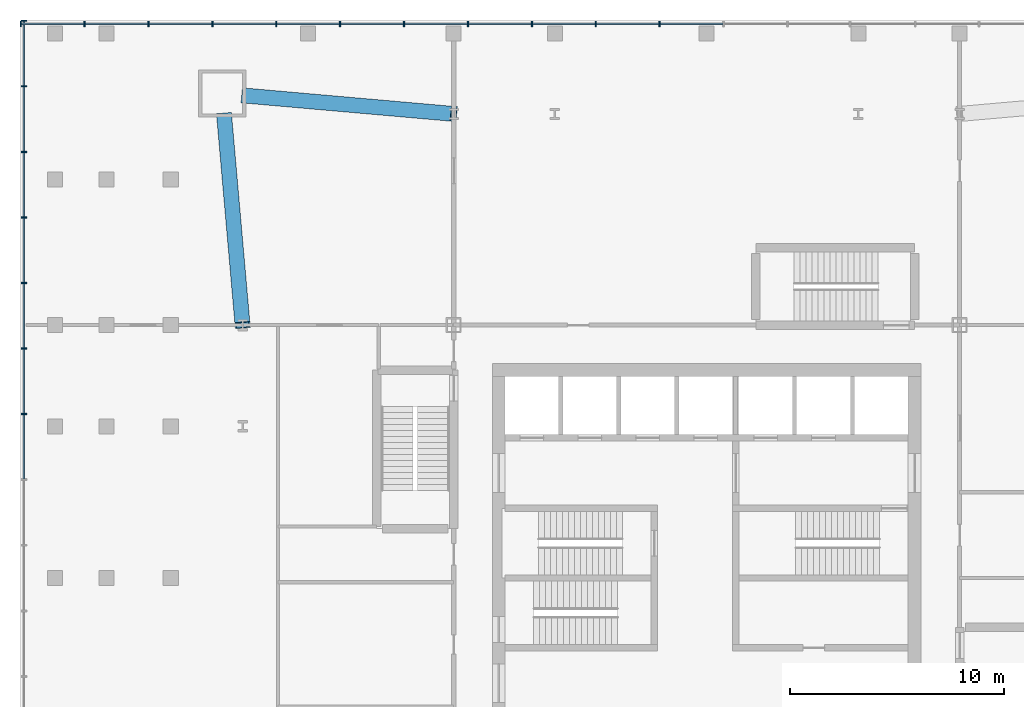
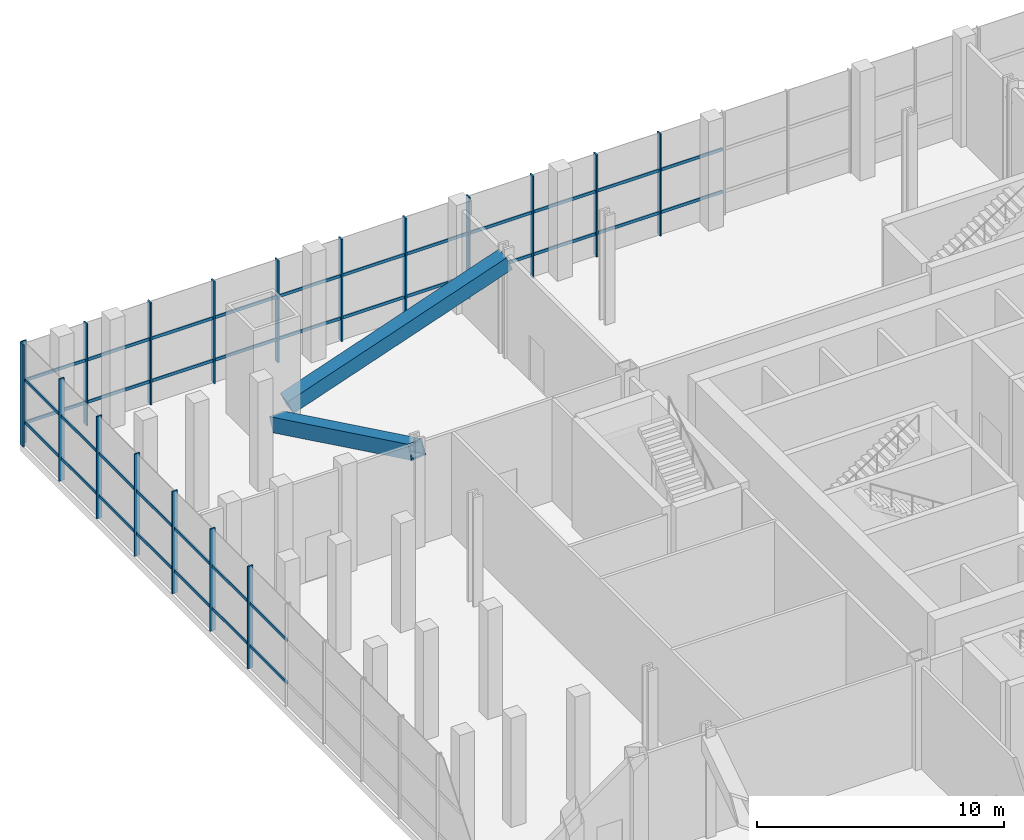
# One storey, part 4 of 17: 56 members, 2 elements without a shape of their own.
"""IFC4 building model written with IfcOpenShell, lengths in metres."""

from ifc_helpers import new_model, si_unit, direction, frame, origin, origin_2d, place, context, subcontext, project, spatial, rectangle, hollow_rectangle, extrude, material, material_profile, profile_set, type_object, element, aggregate, save


model = new_model("IFC4")

# Units and contexts
model_context = context("Model", 3, precision=1e-05, world=origin(), true_north=direction((0.0, 1.0)))
body_context = subcontext(model_context, "Body", "Model", "MODEL_VIEW")
ifc_project = project(units=[si_unit("LENGTHUNIT", "METRE"), si_unit("AREAUNIT", "SQUARE_METRE"), si_unit("VOLUMEUNIT", "CUBIC_METRE"), si_unit("PLANEANGLEUNIT", "RADIAN"), si_unit("MASSUNIT", "GRAM", prefix="KILO")], contexts=[model_context])

# Site, building, storey
site_placement = place(None, origin())
site = spatial("IfcSite", under=ifc_project, at=site_placement, CompositionType="ELEMENT")
building_placement = place(site_placement, origin())
building = spatial("IfcBuilding", under=site, at=building_placement, Name="Turquesa Mirador Hotel Tower", CompositionType="ELEMENT")
storey_placement = place(building_placement, frame((0.0, 0.0, 5.60009765625)))
storey = spatial("IfcBuildingStorey", under=building, at=storey_placement, Name="L01", CompositionType="ELEMENT", Elevation=5.60009765625)

# Curtain wall, members
ifc_material_1 = material(Name="Aluminium extrusion", Category="aluminium")
curtain_wall_type = type_object("IfcCurtainWallType", Name="CW-2 PODIUM CURTAIN WALL", PredefinedType="USERDEFINED", material=ifc_material_1)
curtain_wall_1_placement = place(storey_placement, origin())
curtain_wall_1 = element("IfcCurtainWall", 1, at=curtain_wall_1_placement, inside=storey, type_object=curtain_wall_type, Name="CW-2 PODIUM CURTAIN WALL L01", ObjectType="CURTAIN WALL", PredefinedType="USERDEFINED")
ifc_material_2 = material(Name="Aluminium extrusion", Category="aluminium")
ifc_material_profile_1 = material_profile(ifc_material_2, rectangle(XDim=0.06494140625, YDim=0.25, at=origin_2d()), Name="MULLION 65X250")
ifc_profile_set_1 = profile_set([ifc_material_profile_1], Name="Aluminium extrusion")
member_type_1 = type_object("IfcMemberType", Name="CW MULLION 65X250", PredefinedType="MULLION", material=ifc_profile_set_1)
member_1_placement = place(storey_placement, frame((52.807861328125, 70.85009765625, 0.0), z_axis=(0.0, 0.0, 1.0), x_axis=(-1.0, 0.0, 0.0)))
member_1 = element("IfcMember", 2, at=member_1_placement, type_object=member_type_1, Name="Mullion", PredefinedType="MULLION", context=body_context, shape_type="SweptSolid", body=[
    extrude(rectangle(XDim=0.06494140625, YDim=0.25, at=origin_2d()), origin(), (0.0, 0.0, 1.0), 5.0498046875),
])
member_2_placement = place(storey_placement, frame((49.826904296875, 70.85009765625, 0.0), z_axis=(0.0, 0.0, 1.0), x_axis=(-1.0, 0.0, 0.0)))
member_2 = element("IfcMember", 3, at=member_2_placement, type_object=member_type_1, Name="Mullion", PredefinedType="MULLION", context=body_context, shape_type="SweptSolid", body=[
    extrude(rectangle(XDim=0.06494140625, YDim=0.25, at=origin_2d()), origin(), (0.0, 0.0, 1.0), 5.0498046875),
])
member_3_placement = place(storey_placement, frame((46.84619140625, 70.85009765625, 0.0), z_axis=(0.0, 0.0, 1.0), x_axis=(-1.0, 0.0, 0.0)))
member_3 = element("IfcMember", 4, at=member_3_placement, type_object=member_type_1, Name="Mullion", PredefinedType="MULLION", context=body_context, shape_type="SweptSolid", body=[
    extrude(rectangle(XDim=0.06494140625, YDim=0.25, at=origin_2d()), origin(), (0.0, 0.0, 1.0), 5.0498046875),
])
member_4_placement = place(storey_placement, frame((43.865478515625, 70.85009765625, 0.0), z_axis=(0.0, 0.0, 1.0), x_axis=(-1.0, 0.0, 0.0)))
member_4 = element("IfcMember", 5, at=member_4_placement, type_object=member_type_1, Name="Mullion", PredefinedType="MULLION", context=body_context, shape_type="SweptSolid", body=[
    extrude(rectangle(XDim=0.06494140625, YDim=0.25, at=origin_2d()), origin(), (0.0, 0.0, 1.0), 5.0498046875),
])
member_5_placement = place(storey_placement, frame((40.884765625, 70.85009765625, 0.0), z_axis=(0.0, 0.0, 1.0), x_axis=(-1.0, 0.0, 0.0)))
member_5 = element("IfcMember", 6, at=member_5_placement, type_object=member_type_1, Name="Mullion", PredefinedType="MULLION", context=body_context, shape_type="SweptSolid", body=[
    extrude(rectangle(XDim=0.06494140625, YDim=0.25, at=origin_2d()), origin(), (0.0, 0.0, 1.0), 5.0498046875),
])
member_6_placement = place(storey_placement, frame((37.90380859375, 70.85009765625, 0.0), z_axis=(0.0, 0.0, 1.0), x_axis=(-1.0, 0.0, 0.0)))
member_6 = element("IfcMember", 7, at=member_6_placement, type_object=member_type_1, Name="Mullion", PredefinedType="MULLION", context=body_context, shape_type="SweptSolid", body=[
    extrude(rectangle(XDim=0.06494140625, YDim=0.25, at=origin_2d()), origin(), (0.0, 0.0, 1.0), 5.0498046875),
])
member_7_placement = place(storey_placement, frame((34.923095703125, 70.85009765625, 0.0), z_axis=(0.0, 0.0, 1.0), x_axis=(-1.0, 0.0, 0.0)))
member_7 = element("IfcMember", 8, at=member_7_placement, type_object=member_type_1, Name="Mullion", PredefinedType="MULLION", context=body_context, shape_type="SweptSolid", body=[
    extrude(rectangle(XDim=0.06494140625, YDim=0.25, at=origin_2d()), origin(), (0.0, 0.0, 1.0), 5.0498046875),
])
member_8_placement = place(storey_placement, frame((31.9423828125, 70.85009765625, 0.0), z_axis=(0.0, 0.0, 1.0), x_axis=(-1.0, 0.0, 0.0)))
member_8 = element("IfcMember", 9, at=member_8_placement, type_object=member_type_1, Name="Mullion", PredefinedType="MULLION", context=body_context, shape_type="SweptSolid", body=[
    extrude(rectangle(XDim=0.06494140625, YDim=0.25, at=origin_2d()), origin(), (0.0, 0.0, 1.0), 5.0498046875),
])
member_9_placement = place(storey_placement, frame((28.961669921875, 70.85009765625, 0.0), z_axis=(0.0, 0.0, 1.0), x_axis=(-1.0, 0.0, 0.0)))
member_9 = element("IfcMember", 10, at=member_9_placement, type_object=member_type_1, Name="Mullion", PredefinedType="MULLION", context=body_context, shape_type="SweptSolid", body=[
    extrude(rectangle(XDim=0.06494140625, YDim=0.25, at=origin_2d()), origin(), (0.0, 0.0, 1.0), 5.0498046875),
])
member_10_placement = place(storey_placement, frame((25.980712890625, 70.85009765625, 0.0), z_axis=(0.0, 0.0, 1.0), x_axis=(-1.0, 0.0, 0.0)))
member_10 = element("IfcMember", 11, at=member_10_placement, type_object=member_type_1, Name="Mullion", PredefinedType="MULLION", context=body_context, shape_type="SweptSolid", body=[
    extrude(rectangle(XDim=0.06494140625, YDim=0.25, at=origin_2d()), origin(), (0.0, 0.0, 1.0), 5.0498046875),
])
member_11_placement = place(storey_placement, frame((23.0, 70.85009765625, 0.0), z_axis=(0.0, 0.0, 1.0), x_axis=(-1.0, 0.0, 0.0)))
member_11 = element("IfcMember", 12, at=member_11_placement, type_object=member_type_1, Name="Mullion", PredefinedType="MULLION", context=body_context, shape_type="SweptSolid", body=[
    extrude(rectangle(XDim=0.06494140625, YDim=0.25, at=origin_2d()), origin(), (0.0, 0.0, 1.0), 5.0498046875),
])

curtain_wall_2_placement = place(storey_placement, origin())
curtain_wall_2 = element("IfcCurtainWall", 13, at=curtain_wall_2_placement, inside=storey, type_object=curtain_wall_type, Name="CW-2 PODIUM CURTAIN WALL L01", ObjectType="CURTAIN WALL", PredefinedType="USERDEFINED")
member_12_placement = place(storey_placement, frame((23.14990234375, 71.0, 0.0), z_axis=(0.0, 0.0, 1.0), x_axis=(0.0, -1.0, 0.0)))
member_12 = element("IfcMember", 14, at=member_12_placement, type_object=member_type_1, Name="Mullion", PredefinedType="MULLION", context=body_context, shape_type="SweptSolid", body=[
    extrude(rectangle(XDim=0.06494140625, YDim=0.25, at=origin_2d()), origin(), (0.0, 0.0, 1.0), 5.0498046875),
])
member_13_placement = place(storey_placement, frame((23.14990234375, 67.941162109375, 0.0), z_axis=(0.0, 0.0, 1.0), x_axis=(0.0, -1.0, 0.0)))
member_13 = element("IfcMember", 15, at=member_13_placement, type_object=member_type_1, Name="Mullion", PredefinedType="MULLION", context=body_context, shape_type="SweptSolid", body=[
    extrude(rectangle(XDim=0.06494140625, YDim=0.25, at=origin_2d()), origin(), (0.0, 0.0, 1.0), 5.0498046875),
])
member_14_placement = place(storey_placement, frame((23.14990234375, 64.88232421875, 0.0), z_axis=(0.0, 0.0, 1.0), x_axis=(0.0, -1.0, 0.0)))
member_14 = element("IfcMember", 16, at=member_14_placement, type_object=member_type_1, Name="Mullion", PredefinedType="MULLION", context=body_context, shape_type="SweptSolid", body=[
    extrude(rectangle(XDim=0.06494140625, YDim=0.25, at=origin_2d()), origin(), (0.0, 0.0, 1.0), 5.0498046875),
])
member_15_placement = place(storey_placement, frame((23.14990234375, 61.823486328125, 0.0), z_axis=(0.0, 0.0, 1.0), x_axis=(0.0, -1.0, 0.0)))
member_15 = element("IfcMember", 17, at=member_15_placement, type_object=member_type_1, Name="Mullion", PredefinedType="MULLION", context=body_context, shape_type="SweptSolid", body=[
    extrude(rectangle(XDim=0.06494140625, YDim=0.25, at=origin_2d()), origin(), (0.0, 0.0, 1.0), 5.0498046875),
])
member_16_placement = place(storey_placement, frame((23.14990234375, 58.7646484375, 0.0), z_axis=(0.0, 0.0, 1.0), x_axis=(0.0, -1.0, 0.0)))
member_16 = element("IfcMember", 18, at=member_16_placement, type_object=member_type_1, Name="Mullion", PredefinedType="MULLION", context=body_context, shape_type="SweptSolid", body=[
    extrude(rectangle(XDim=0.06494140625, YDim=0.25, at=origin_2d()), origin(), (0.0, 0.0, 1.0), 5.0498046875),
])
member_17_placement = place(storey_placement, frame((23.14990234375, 55.705810546875, 0.0), z_axis=(0.0, 0.0, 1.0), x_axis=(0.0, -1.0, 0.0)))
member_17 = element("IfcMember", 19, at=member_17_placement, type_object=member_type_1, Name="Mullion", PredefinedType="MULLION", context=body_context, shape_type="SweptSolid", body=[
    extrude(rectangle(XDim=0.06494140625, YDim=0.25, at=origin_2d()), origin(), (0.0, 0.0, 1.0), 5.0498046875),
])
member_18_placement = place(storey_placement, frame((23.14990234375, 52.64697265625, 0.0), z_axis=(0.0, 0.0, 1.0), x_axis=(0.0, -1.0, 0.0)))
member_18 = element("IfcMember", 20, at=member_18_placement, type_object=member_type_1, Name="Mullion", PredefinedType="MULLION", context=body_context, shape_type="SweptSolid", body=[
    extrude(rectangle(XDim=0.06494140625, YDim=0.25, at=origin_2d()), origin(), (0.0, 0.0, 1.0), 5.0498046875),
])

# Member
ifc_material_3 = material(Name="Aluminium extrusion", Category="aluminium")
ifc_material_profile_2 = material_profile(ifc_material_3, rectangle(XDim=0.06494140625, YDim=0.14990234375, at=origin_2d()), Name="TRANSOM 65X150")
ifc_profile_set_2 = profile_set([ifc_material_profile_2], Name="Aluminium extrusion")
member_type_2 = type_object("IfcMemberType", Name="CW TRANSOM 65X150", PredefinedType="USERDEFINED", material=ifc_profile_set_2)
member_19_placement = place(storey_placement, frame((55.756103515625, 70.85009765625, 1.099853515625), z_axis=(-1.0, 0.0, 0.0), x_axis=(0.0, -1.0, 0.0)))
member_19 = element("IfcMember", 21, at=member_19_placement, type_object=member_type_2, Name="Transom", ObjectType="TRANSOM", PredefinedType="USERDEFINED", context=body_context, shape_type="SweptSolid", body=[
    extrude(rectangle(XDim=0.06494140625, YDim=0.14990234375, at=origin_2d()), origin(), (0.0, 0.0, 1.0), 2.915771484375),
])

member_20_placement = place(storey_placement, frame((55.756103515625, 70.85009765625, 3.199951171875), z_axis=(-1.0, 0.0, 0.0), x_axis=(0.0, -1.0, 0.0)))
member_20 = element("IfcMember", 22, at=member_20_placement, type_object=member_type_2, Name="Transom", ObjectType="TRANSOM", PredefinedType="USERDEFINED", context=body_context, shape_type="SweptSolid", body=[
    extrude(rectangle(XDim=0.06494140625, YDim=0.14990234375, at=origin_2d()), origin(), (0.0, 0.0, 1.0), 2.915771484375),
])

member_21_placement = place(storey_placement, frame((52.775146484375, 70.85009765625, 1.099853515625), z_axis=(-1.0, 0.0, 0.0), x_axis=(0.0, -1.0, 0.0)))
member_21 = element("IfcMember", 23, at=member_21_placement, type_object=member_type_2, Name="Transom", ObjectType="TRANSOM", PredefinedType="USERDEFINED", context=body_context, shape_type="SweptSolid", body=[
    extrude(rectangle(XDim=0.06494140625, YDim=0.14990234375, at=origin_2d()), origin(), (0.0, 0.0, 1.0), 2.915771484375),
])

member_22_placement = place(storey_placement, frame((52.775146484375, 70.85009765625, 3.199951171875), z_axis=(-1.0, 0.0, 0.0), x_axis=(0.0, -1.0, 0.0)))
member_22 = element("IfcMember", 24, at=member_22_placement, type_object=member_type_2, Name="Transom", ObjectType="TRANSOM", PredefinedType="USERDEFINED", context=body_context, shape_type="SweptSolid", body=[
    extrude(rectangle(XDim=0.06494140625, YDim=0.14990234375, at=origin_2d()), origin(), (0.0, 0.0, 1.0), 2.915771484375),
])

member_23_placement = place(storey_placement, frame((49.79443359375, 70.85009765625, 1.099853515625), z_axis=(-1.0, 0.0, 0.0), x_axis=(0.0, -1.0, 0.0)))
member_23 = element("IfcMember", 25, at=member_23_placement, type_object=member_type_2, Name="Transom", ObjectType="TRANSOM", PredefinedType="USERDEFINED", context=body_context, shape_type="SweptSolid", body=[
    extrude(rectangle(XDim=0.06494140625, YDim=0.14990234375, at=origin_2d()), origin(), (0.0, 0.0, 1.0), 2.915771484375),
])

member_24_placement = place(storey_placement, frame((49.79443359375, 70.85009765625, 3.199951171875), z_axis=(-1.0, 0.0, 0.0), x_axis=(0.0, -1.0, 0.0)))
member_24 = element("IfcMember", 26, at=member_24_placement, type_object=member_type_2, Name="Transom", ObjectType="TRANSOM", PredefinedType="USERDEFINED", context=body_context, shape_type="SweptSolid", body=[
    extrude(rectangle(XDim=0.06494140625, YDim=0.14990234375, at=origin_2d()), origin(), (0.0, 0.0, 1.0), 2.915771484375),
])

member_25_placement = place(storey_placement, frame((46.813720703125, 70.85009765625, 1.099853515625), z_axis=(-1.0, 0.0, 0.0), x_axis=(0.0, -1.0, 0.0)))
member_25 = element("IfcMember", 27, at=member_25_placement, type_object=member_type_2, Name="Transom", ObjectType="TRANSOM", PredefinedType="USERDEFINED", context=body_context, shape_type="SweptSolid", body=[
    extrude(rectangle(XDim=0.06494140625, YDim=0.14990234375, at=origin_2d()), origin(), (0.0, 0.0, 1.0), 2.915771484375),
])

member_26_placement = place(storey_placement, frame((46.813720703125, 70.85009765625, 3.199951171875), z_axis=(-1.0, 0.0, 0.0), x_axis=(0.0, -1.0, 0.0)))
member_26 = element("IfcMember", 28, at=member_26_placement, type_object=member_type_2, Name="Transom", ObjectType="TRANSOM", PredefinedType="USERDEFINED", context=body_context, shape_type="SweptSolid", body=[
    extrude(rectangle(XDim=0.06494140625, YDim=0.14990234375, at=origin_2d()), origin(), (0.0, 0.0, 1.0), 2.915771484375),
])

member_27_placement = place(storey_placement, frame((43.8330078125, 70.85009765625, 1.099853515625), z_axis=(-1.0, 0.0, 0.0), x_axis=(0.0, -1.0, 0.0)))
member_27 = element("IfcMember", 29, at=member_27_placement, type_object=member_type_2, Name="Transom", ObjectType="TRANSOM", PredefinedType="USERDEFINED", context=body_context, shape_type="SweptSolid", body=[
    extrude(rectangle(XDim=0.06494140625, YDim=0.14990234375, at=origin_2d()), origin(), (0.0, 0.0, 1.0), 2.915771484375),
])

member_28_placement = place(storey_placement, frame((43.8330078125, 70.85009765625, 3.199951171875), z_axis=(-1.0, 0.0, 0.0), x_axis=(0.0, -1.0, 0.0)))
member_28 = element("IfcMember", 30, at=member_28_placement, type_object=member_type_2, Name="Transom", ObjectType="TRANSOM", PredefinedType="USERDEFINED", context=body_context, shape_type="SweptSolid", body=[
    extrude(rectangle(XDim=0.06494140625, YDim=0.14990234375, at=origin_2d()), origin(), (0.0, 0.0, 1.0), 2.915771484375),
])

member_29_placement = place(storey_placement, frame((40.85205078125, 70.85009765625, 1.099853515625), z_axis=(-1.0, 0.0, 0.0), x_axis=(0.0, -1.0, 0.0)))
member_29 = element("IfcMember", 31, at=member_29_placement, type_object=member_type_2, Name="Transom", ObjectType="TRANSOM", PredefinedType="USERDEFINED", context=body_context, shape_type="SweptSolid", body=[
    extrude(rectangle(XDim=0.06494140625, YDim=0.14990234375, at=origin_2d()), origin(), (0.0, 0.0, 1.0), 2.915771484375),
])

member_30_placement = place(storey_placement, frame((40.85205078125, 70.85009765625, 3.199951171875), z_axis=(-1.0, 0.0, 0.0), x_axis=(0.0, -1.0, 0.0)))
member_30 = element("IfcMember", 32, at=member_30_placement, type_object=member_type_2, Name="Transom", ObjectType="TRANSOM", PredefinedType="USERDEFINED", context=body_context, shape_type="SweptSolid", body=[
    extrude(rectangle(XDim=0.06494140625, YDim=0.14990234375, at=origin_2d()), origin(), (0.0, 0.0, 1.0), 2.915771484375),
])

member_31_placement = place(storey_placement, frame((37.871337890625, 70.85009765625, 1.099853515625), z_axis=(-1.0, 0.0, 0.0), x_axis=(0.0, -1.0, 0.0)))
member_31 = element("IfcMember", 33, at=member_31_placement, type_object=member_type_2, Name="Transom", ObjectType="TRANSOM", PredefinedType="USERDEFINED", context=body_context, shape_type="SweptSolid", body=[
    extrude(rectangle(XDim=0.06494140625, YDim=0.14990234375, at=origin_2d()), origin(), (0.0, 0.0, 1.0), 2.915771484375),
])

member_32_placement = place(storey_placement, frame((37.871337890625, 70.85009765625, 3.199951171875), z_axis=(-1.0, 0.0, 0.0), x_axis=(0.0, -1.0, 0.0)))
member_32 = element("IfcMember", 34, at=member_32_placement, type_object=member_type_2, Name="Transom", ObjectType="TRANSOM", PredefinedType="USERDEFINED", context=body_context, shape_type="SweptSolid", body=[
    extrude(rectangle(XDim=0.06494140625, YDim=0.14990234375, at=origin_2d()), origin(), (0.0, 0.0, 1.0), 2.915771484375),
])

member_33_placement = place(storey_placement, frame((34.890625, 70.85009765625, 1.099853515625), z_axis=(-1.0, 0.0, 0.0), x_axis=(0.0, -1.0, 0.0)))
member_33 = element("IfcMember", 35, at=member_33_placement, type_object=member_type_2, Name="Transom", ObjectType="TRANSOM", PredefinedType="USERDEFINED", context=body_context, shape_type="SweptSolid", body=[
    extrude(rectangle(XDim=0.06494140625, YDim=0.14990234375, at=origin_2d()), origin(), (0.0, 0.0, 1.0), 2.915771484375),
])

member_34_placement = place(storey_placement, frame((34.890625, 70.85009765625, 3.199951171875), z_axis=(-1.0, 0.0, 0.0), x_axis=(0.0, -1.0, 0.0)))
member_34 = element("IfcMember", 36, at=member_34_placement, type_object=member_type_2, Name="Transom", ObjectType="TRANSOM", PredefinedType="USERDEFINED", context=body_context, shape_type="SweptSolid", body=[
    extrude(rectangle(XDim=0.06494140625, YDim=0.14990234375, at=origin_2d()), origin(), (0.0, 0.0, 1.0), 2.915771484375),
])

member_35_placement = place(storey_placement, frame((31.909912109375, 70.85009765625, 1.099853515625), z_axis=(-1.0, 0.0, 0.0), x_axis=(0.0, -1.0, 0.0)))
member_35 = element("IfcMember", 37, at=member_35_placement, type_object=member_type_2, Name="Transom", ObjectType="TRANSOM", PredefinedType="USERDEFINED", context=body_context, shape_type="SweptSolid", body=[
    extrude(rectangle(XDim=0.06494140625, YDim=0.14990234375, at=origin_2d()), origin(), (0.0, 0.0, 1.0), 2.915771484375),
])

member_36_placement = place(storey_placement, frame((31.909912109375, 70.85009765625, 3.199951171875), z_axis=(-1.0, 0.0, 0.0), x_axis=(0.0, -1.0, 0.0)))
member_36 = element("IfcMember", 38, at=member_36_placement, type_object=member_type_2, Name="Transom", ObjectType="TRANSOM", PredefinedType="USERDEFINED", context=body_context, shape_type="SweptSolid", body=[
    extrude(rectangle(XDim=0.06494140625, YDim=0.14990234375, at=origin_2d()), origin(), (0.0, 0.0, 1.0), 2.915771484375),
])

member_37_placement = place(storey_placement, frame((28.928955078125, 70.85009765625, 1.099853515625), z_axis=(-1.0, 0.0, 0.0), x_axis=(0.0, -1.0, 0.0)))
member_37 = element("IfcMember", 39, at=member_37_placement, type_object=member_type_2, Name="Transom", ObjectType="TRANSOM", PredefinedType="USERDEFINED", context=body_context, shape_type="SweptSolid", body=[
    extrude(rectangle(XDim=0.06494140625, YDim=0.14990234375, at=origin_2d()), origin(), (0.0, 0.0, 1.0), 2.915771484375),
])

member_38_placement = place(storey_placement, frame((28.928955078125, 70.85009765625, 3.199951171875), z_axis=(-1.0, 0.0, 0.0), x_axis=(0.0, -1.0, 0.0)))
member_38 = element("IfcMember", 40, at=member_38_placement, type_object=member_type_2, Name="Transom", ObjectType="TRANSOM", PredefinedType="USERDEFINED", context=body_context, shape_type="SweptSolid", body=[
    extrude(rectangle(XDim=0.06494140625, YDim=0.14990234375, at=origin_2d()), origin(), (0.0, 0.0, 1.0), 2.915771484375),
])

member_39_placement = place(storey_placement, frame((25.9482421875, 70.85009765625, 1.099853515625), z_axis=(-1.0, 0.0, 0.0), x_axis=(0.0, -1.0, 0.0)))
member_39 = element("IfcMember", 41, at=member_39_placement, type_object=member_type_2, Name="Transom", ObjectType="TRANSOM", PredefinedType="USERDEFINED", context=body_context, shape_type="SweptSolid", body=[
    extrude(rectangle(XDim=0.06494140625, YDim=0.14990234375, at=origin_2d()), origin(), (0.0, 0.0, 1.0), 2.915771484375),
])

member_40_placement = place(storey_placement, frame((25.9482421875, 70.85009765625, 3.199951171875), z_axis=(-1.0, 0.0, 0.0), x_axis=(0.0, -1.0, 0.0)))
member_40 = element("IfcMember", 42, at=member_40_placement, type_object=member_type_2, Name="Transom", ObjectType="TRANSOM", PredefinedType="USERDEFINED", context=body_context, shape_type="SweptSolid", body=[
    extrude(rectangle(XDim=0.06494140625, YDim=0.14990234375, at=origin_2d()), origin(), (0.0, 0.0, 1.0), 2.915771484375),
])

aggregate(curtain_wall_1, [member_1, member_2, member_3, member_4, member_5, member_6, member_7, member_8, member_9, member_10, member_11, member_19, member_20, member_21, member_22, member_23, member_24, member_25, member_26, member_27, member_28, member_29, member_30, member_31, member_32, member_33, member_34, member_35, member_36, member_37, member_38, member_39, member_40])

member_41_placement = place(storey_placement, frame((23.14990234375, 70.967529296875, 1.099853515625), z_axis=(0.0, -1.0, 0.0), x_axis=(1.0, 0.0, 0.0)))
member_41 = element("IfcMember", 43, at=member_41_placement, type_object=member_type_2, Name="Transom", ObjectType="TRANSOM", PredefinedType="USERDEFINED", context=body_context, shape_type="SweptSolid", body=[
    extrude(rectangle(XDim=0.06494140625, YDim=0.14990234375, at=origin_2d()), origin(), (0.0, 0.0, 1.0), 2.993896484375),
])

member_42_placement = place(storey_placement, frame((23.14990234375, 70.967529296875, 3.199951171875), z_axis=(0.0, -1.0, 0.0), x_axis=(1.0, 0.0, 0.0)))
member_42 = element("IfcMember", 44, at=member_42_placement, type_object=member_type_2, Name="Transom", ObjectType="TRANSOM", PredefinedType="USERDEFINED", context=body_context, shape_type="SweptSolid", body=[
    extrude(rectangle(XDim=0.06494140625, YDim=0.14990234375, at=origin_2d()), origin(), (0.0, 0.0, 1.0), 2.993896484375),
])

member_43_placement = place(storey_placement, frame((23.14990234375, 67.90869140625, 1.099853515625), z_axis=(0.0, -1.0, 0.0), x_axis=(1.0, 0.0, 0.0)))
member_43 = element("IfcMember", 45, at=member_43_placement, type_object=member_type_2, Name="Transom", ObjectType="TRANSOM", PredefinedType="USERDEFINED", context=body_context, shape_type="SweptSolid", body=[
    extrude(rectangle(XDim=0.06494140625, YDim=0.14990234375, at=origin_2d()), origin(), (0.0, 0.0, 1.0), 2.993896484375),
])

member_44_placement = place(storey_placement, frame((23.14990234375, 67.90869140625, 3.199951171875), z_axis=(0.0, -1.0, 0.0), x_axis=(1.0, 0.0, 0.0)))
member_44 = element("IfcMember", 46, at=member_44_placement, type_object=member_type_2, Name="Transom", ObjectType="TRANSOM", PredefinedType="USERDEFINED", context=body_context, shape_type="SweptSolid", body=[
    extrude(rectangle(XDim=0.06494140625, YDim=0.14990234375, at=origin_2d()), origin(), (0.0, 0.0, 1.0), 2.993896484375),
])

member_45_placement = place(storey_placement, frame((23.14990234375, 64.849853515625, 1.099853515625), z_axis=(0.0, -1.0, 0.0), x_axis=(1.0, 0.0, 0.0)))
member_45 = element("IfcMember", 47, at=member_45_placement, type_object=member_type_2, Name="Transom", ObjectType="TRANSOM", PredefinedType="USERDEFINED", context=body_context, shape_type="SweptSolid", body=[
    extrude(rectangle(XDim=0.06494140625, YDim=0.14990234375, at=origin_2d()), origin(), (0.0, 0.0, 1.0), 2.993896484375),
])

member_46_placement = place(storey_placement, frame((23.14990234375, 64.849853515625, 3.199951171875), z_axis=(0.0, -1.0, 0.0), x_axis=(1.0, 0.0, 0.0)))
member_46 = element("IfcMember", 48, at=member_46_placement, type_object=member_type_2, Name="Transom", ObjectType="TRANSOM", PredefinedType="USERDEFINED", context=body_context, shape_type="SweptSolid", body=[
    extrude(rectangle(XDim=0.06494140625, YDim=0.14990234375, at=origin_2d()), origin(), (0.0, 0.0, 1.0), 2.993896484375),
])

member_47_placement = place(storey_placement, frame((23.14990234375, 61.791015625, 1.099853515625), z_axis=(0.0, -1.0, 0.0), x_axis=(1.0, 0.0, 0.0)))
member_47 = element("IfcMember", 49, at=member_47_placement, type_object=member_type_2, Name="Transom", ObjectType="TRANSOM", PredefinedType="USERDEFINED", context=body_context, shape_type="SweptSolid", body=[
    extrude(rectangle(XDim=0.06494140625, YDim=0.14990234375, at=origin_2d()), origin(), (0.0, 0.0, 1.0), 2.993896484375),
])

member_48_placement = place(storey_placement, frame((23.14990234375, 61.791015625, 3.199951171875), z_axis=(0.0, -1.0, 0.0), x_axis=(1.0, 0.0, 0.0)))
member_48 = element("IfcMember", 50, at=member_48_placement, type_object=member_type_2, Name="Transom", ObjectType="TRANSOM", PredefinedType="USERDEFINED", context=body_context, shape_type="SweptSolid", body=[
    extrude(rectangle(XDim=0.06494140625, YDim=0.14990234375, at=origin_2d()), origin(), (0.0, 0.0, 1.0), 2.993896484375),
])

member_49_placement = place(storey_placement, frame((23.14990234375, 58.732177734375, 1.099853515625), z_axis=(0.0, -1.0, 0.0), x_axis=(1.0, 0.0, 0.0)))
member_49 = element("IfcMember", 51, at=member_49_placement, type_object=member_type_2, Name="Transom", ObjectType="TRANSOM", PredefinedType="USERDEFINED", context=body_context, shape_type="SweptSolid", body=[
    extrude(rectangle(XDim=0.06494140625, YDim=0.14990234375, at=origin_2d()), origin(), (0.0, 0.0, 1.0), 2.993896484375),
])

member_50_placement = place(storey_placement, frame((23.14990234375, 58.732177734375, 3.199951171875), z_axis=(0.0, -1.0, 0.0), x_axis=(1.0, 0.0, 0.0)))
member_50 = element("IfcMember", 52, at=member_50_placement, type_object=member_type_2, Name="Transom", ObjectType="TRANSOM", PredefinedType="USERDEFINED", context=body_context, shape_type="SweptSolid", body=[
    extrude(rectangle(XDim=0.06494140625, YDim=0.14990234375, at=origin_2d()), origin(), (0.0, 0.0, 1.0), 2.993896484375),
])

member_51_placement = place(storey_placement, frame((23.14990234375, 55.67333984375, 1.099853515625), z_axis=(0.0, -1.0, 0.0), x_axis=(1.0, 0.0, 0.0)))
member_51 = element("IfcMember", 53, at=member_51_placement, type_object=member_type_2, Name="Transom", ObjectType="TRANSOM", PredefinedType="USERDEFINED", context=body_context, shape_type="SweptSolid", body=[
    extrude(rectangle(XDim=0.06494140625, YDim=0.14990234375, at=origin_2d()), origin(), (0.0, 0.0, 1.0), 2.993896484375),
])

member_52_placement = place(storey_placement, frame((23.14990234375, 55.67333984375, 3.199951171875), z_axis=(0.0, -1.0, 0.0), x_axis=(1.0, 0.0, 0.0)))
member_52 = element("IfcMember", 54, at=member_52_placement, type_object=member_type_2, Name="Transom", ObjectType="TRANSOM", PredefinedType="USERDEFINED", context=body_context, shape_type="SweptSolid", body=[
    extrude(rectangle(XDim=0.06494140625, YDim=0.14990234375, at=origin_2d()), origin(), (0.0, 0.0, 1.0), 2.993896484375),
])

member_53_placement = place(storey_placement, frame((23.14990234375, 52.614501953125, 1.099853515625), z_axis=(0.0, -1.0, 0.0), x_axis=(1.0, 0.0, 0.0)))
member_53 = element("IfcMember", 55, at=member_53_placement, type_object=member_type_2, Name="Transom", ObjectType="TRANSOM", PredefinedType="USERDEFINED", context=body_context, shape_type="SweptSolid", body=[
    extrude(rectangle(XDim=0.06494140625, YDim=0.14990234375, at=origin_2d()), origin(), (0.0, 0.0, 1.0), 2.99365234375),
])

member_54_placement = place(storey_placement, frame((23.14990234375, 52.614501953125, 3.199951171875), z_axis=(0.0, -1.0, 0.0), x_axis=(1.0, 0.0, 0.0)))
member_54 = element("IfcMember", 56, at=member_54_placement, type_object=member_type_2, Name="Transom", ObjectType="TRANSOM", PredefinedType="USERDEFINED", context=body_context, shape_type="SweptSolid", body=[
    extrude(rectangle(XDim=0.06494140625, YDim=0.14990234375, at=origin_2d()), origin(), (0.0, 0.0, 1.0), 2.99365234375),
])

aggregate(curtain_wall_2, [member_12, member_13, member_14, member_15, member_16, member_17, member_18, member_41, member_42, member_43, member_44, member_45, member_46, member_47, member_48, member_49, member_50, member_51, member_52, member_53, member_54])

# Members
ifc_material_4 = material(Name="Steel ASTM A572 Grade 50", Category="steel")
ifc_material_profile_3 = material_profile(ifc_material_4, hollow_rectangle(XDim=0.699951171875, YDim=0.699951171875, WallThickness=0.06005859375, at=origin_2d()), Name="BOX700X700X60")
ifc_profile_set_3 = profile_set([ifc_material_profile_3], Name="Steel ASTM A572 Grade 50")
member_type_3 = type_object("IfcMemberType", Name="PODIUM BRACE BOX700X700X60", PredefinedType="BRACE", material=ifc_profile_set_3)
for number, where, z_axis, x_axis, name in (
    (57, (33.449951171875, 67.507568359375, 0.456787109375), (0.913963080549, -0.080397443459, 0.397753363881), (0.087627369437, 0.996153323603, 0.0), "Podium brace N"),
    (58, (32.492431640625, 66.550048828125, 0.456787109375), (0.080397443459, -0.913963080549, 0.397753363881), (0.996153323603, 0.087627369437, 0.0), "Podium brace W"),
):
    element("IfcMember", number, at=place(storey_placement, frame(where, z_axis=z_axis, x_axis=x_axis)), inside=storey, type_object=member_type_3, Name=name, PredefinedType="BRACE", context=body_context, shape_type="SweptSolid", body=[
        extrude(hollow_rectangle(XDim=0.699951171875, YDim=0.699951171875, WallThickness=0.06005859375, at=origin_2d()), origin(), (0.0, 0.0, 1.0), 10.667724609375),
    ])

save(model, "model.ifc")
